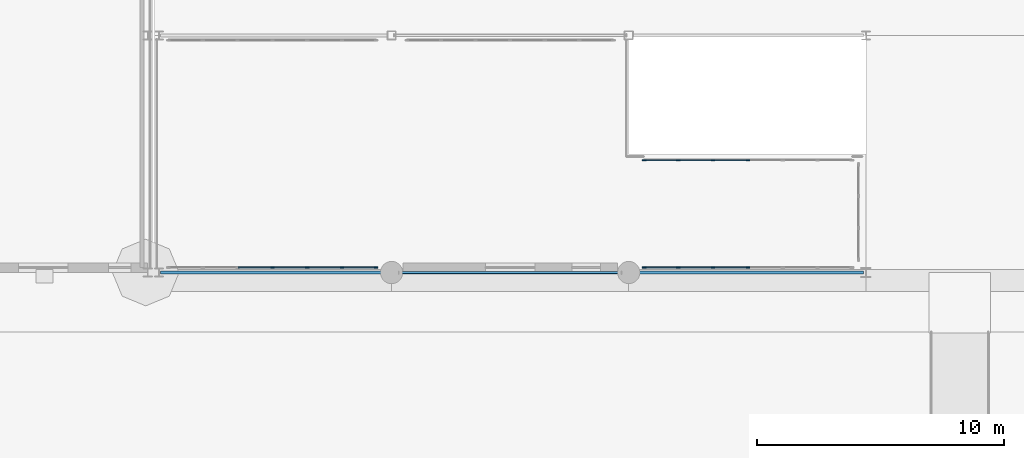
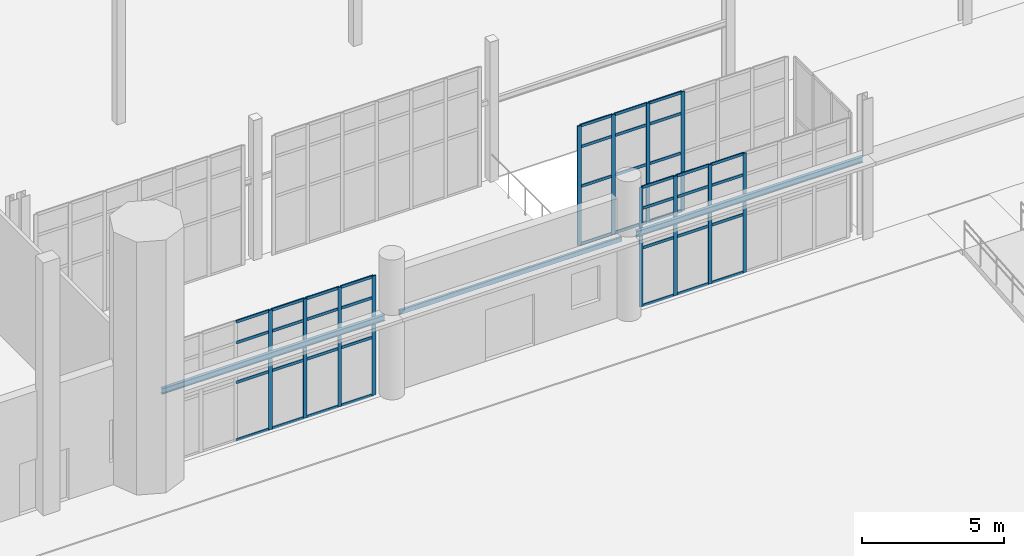
# One storey, part 26 of 139: 52 members, 3 beams, 3 elements without a shape of their own.
"""IFC4 building model written with IfcOpenShell, lengths in metres."""

from ifc_helpers import new_model, si_unit, direction, frame, origin, origin_2d, place, context, subcontext, project, spatial, rectangle, hollow_rectangle, i_section, extrude, material, layer, layer_set, material_profile, profile_set, type_object, element, aggregate, save


model = new_model("IFC4")

# Units and contexts
model_context = context("Model", 3, precision=1e-05, world=origin(), true_north=direction((0.0, 1.0)))
body_context = subcontext(model_context, "Body", "Model", "MODEL_VIEW")
ifc_project = project(units=[si_unit("LENGTHUNIT", "METRE"), si_unit("AREAUNIT", "SQUARE_METRE"), si_unit("VOLUMEUNIT", "CUBIC_METRE"), si_unit("PLANEANGLEUNIT", "RADIAN"), si_unit("MASSUNIT", "GRAM", prefix="KILO")], contexts=[model_context])

# Site, building, storey
site_placement = place(None, origin())
site = spatial("IfcSite", under=ifc_project, at=site_placement, CompositionType="ELEMENT")
building_placement = place(site_placement, origin())
building = spatial("IfcBuilding", under=site, at=building_placement, Name="Yeouljin Market Hall", CompositionType="ELEMENT")
storey_placement = place(building_placement, origin())
storey = spatial("IfcBuildingStorey", under=building, at=storey_placement, Name="L00", CompositionType="ELEMENT", Elevation=0.0)

# Curtain wall, members
ifc_material_1 = material(Name="Thermally Broken Aluminium", Category="aluminium")
ifc_layer = layer(ifc_material_1, 0.14990234375)
ifc_layer_set = layer_set([ifc_layer], Name="Thermally Broken Aluminium")
curtain_wall_type = type_object("IfcCurtainWallType", Name="CW_ColonnadeScreen_System", PredefinedType="USERDEFINED", material=ifc_layer_set)
curtain_wall_1_placement = place(storey_placement, origin())
curtain_wall_1 = element("IfcCurtainWall", 1, at=curtain_wall_1_placement, inside=storey, type_object=curtain_wall_type, Name="Curtain wall CW-V5S-L00-1", ObjectType="CURTAIN WALL", PredefinedType="USERDEFINED")
ifc_material_2 = material(Name="Thermally Broken Aluminium", Category="aluminium")
ifc_material_profile_1 = material_profile(ifc_material_2, rectangle(XDim=0.048095703125, YDim=0.14990234375, at=origin_2d()), Name="CW-MULL-48x150")
ifc_profile_set_1 = profile_set([ifc_material_profile_1], Name="Thermally Broken Aluminium")
member_type_1 = type_object("IfcMemberType", Name="CWMullion_48x150", PredefinedType="MULLION", material=ifc_profile_set_1)
member_1_placement = place(storey_placement, frame((44.3759765625, 0.199951171875, 0.0), z_axis=(0.0, 0.0, 1.0), x_axis=(0.0, -1.0, 0.0)))
member_1 = element("IfcMember", 2, at=member_1_placement, type_object=member_type_1, Name="CW-06 mullion 1", PredefinedType="MULLION", context=body_context, shape_type="SweptSolid", body=[
    extrude(rectangle(XDim=0.048095703125, YDim=0.14990234375, at=origin_2d()), origin(), (0.0, 0.0, 1.0), 5.1201171875),
])
member_2_placement = place(storey_placement, frame((42.99169921875, 0.199951171875, 0.0), z_axis=(0.0, 0.0, 1.0), x_axis=(0.0, -1.0, 0.0)))
member_2 = element("IfcMember", 3, at=member_2_placement, type_object=member_type_1, Name="CW-06 mullion 2", PredefinedType="MULLION", context=body_context, shape_type="SweptSolid", body=[
    extrude(rectangle(XDim=0.048095703125, YDim=0.14990234375, at=origin_2d()), origin(), (0.0, 0.0, 1.0), 5.1201171875),
])
member_3_placement = place(storey_placement, frame((41.583251953125, 0.199951171875, 0.0), z_axis=(0.0, 0.0, 1.0), x_axis=(0.0, -1.0, 0.0)))
member_3 = element("IfcMember", 4, at=member_3_placement, type_object=member_type_1, Name="CW-06 mullion 3", PredefinedType="MULLION", context=body_context, shape_type="SweptSolid", body=[
    extrude(rectangle(XDim=0.048095703125, YDim=0.14990234375, at=origin_2d()), origin(), (0.0, 0.0, 1.0), 5.1201171875),
])
member_4_placement = place(storey_placement, frame((40.175048828125, 0.199951171875, 0.0), z_axis=(0.0, 0.0, 1.0), x_axis=(0.0, -1.0, 0.0)))
member_4 = element("IfcMember", 5, at=member_4_placement, type_object=member_type_1, Name="CW-06 mullion 4", PredefinedType="MULLION", context=body_context, shape_type="SweptSolid", body=[
    extrude(rectangle(XDim=0.048095703125, YDim=0.14990234375, at=origin_2d()), origin(), (0.0, 0.0, 1.0), 5.1201171875),
])

curtain_wall_2_placement = place(storey_placement, origin())
curtain_wall_2 = element("IfcCurtainWall", 6, at=curtain_wall_2_placement, inside=storey, type_object=curtain_wall_type, Name="Curtain wall CW-V5S-L00-3", ObjectType="CURTAIN WALL", PredefinedType="USERDEFINED")
member_5_placement = place(storey_placement, frame((59.425048828125, 0.199951171875, 0.0), z_axis=(0.0, 0.0, 1.0), x_axis=(0.0, -1.0, 0.0)))
member_5 = element("IfcMember", 7, at=member_5_placement, type_object=member_type_1, Name="CW-06 mullion 4", PredefinedType="MULLION", context=body_context, shape_type="SweptSolid", body=[
    extrude(rectangle(XDim=0.048095703125, YDim=0.14990234375, at=origin_2d()), origin(), (0.0, 0.0, 1.0), 5.1201171875),
])
member_6_placement = place(storey_placement, frame((58.0166015625, 0.199951171875, 0.0), z_axis=(0.0, 0.0, 1.0), x_axis=(0.0, -1.0, 0.0)))
member_6 = element("IfcMember", 8, at=member_6_placement, type_object=member_type_1, Name="CW-06 mullion 5", PredefinedType="MULLION", context=body_context, shape_type="SweptSolid", body=[
    extrude(rectangle(XDim=0.048095703125, YDim=0.14990234375, at=origin_2d()), origin(), (0.0, 0.0, 1.0), 5.1201171875),
])
member_7_placement = place(storey_placement, frame((56.6083984375, 0.199951171875, 0.0), z_axis=(0.0, 0.0, 1.0), x_axis=(0.0, -1.0, 0.0)))
member_7 = element("IfcMember", 9, at=member_7_placement, type_object=member_type_1, Name="CW-06 mullion 6", PredefinedType="MULLION", context=body_context, shape_type="SweptSolid", body=[
    extrude(rectangle(XDim=0.048095703125, YDim=0.14990234375, at=origin_2d()), origin(), (0.0, 0.0, 1.0), 5.1201171875),
])
member_8_placement = place(storey_placement, frame((55.22412109375, 0.199951171875, 0.0), z_axis=(0.0, 0.0, 1.0), x_axis=(0.0, -1.0, 0.0)))
member_8 = element("IfcMember", 10, at=member_8_placement, type_object=member_type_1, Name="CW-06 mullion 7", PredefinedType="MULLION", context=body_context, shape_type="SweptSolid", body=[
    extrude(rectangle(XDim=0.048095703125, YDim=0.14990234375, at=origin_2d()), origin(), (0.0, 0.0, 1.0), 5.1201171875),
])

curtain_wall_3_placement = place(storey_placement, origin())
curtain_wall_3 = element("IfcCurtainWall", 11, at=curtain_wall_3_placement, inside=storey, type_object=curtain_wall_type, Name="Curtain wall CW-V5N-L00-3", ObjectType="CURTAIN WALL", PredefinedType="USERDEFINED")
member_9_placement = place(storey_placement, frame((55.22412109375, 4.550048828125, 0.0), z_axis=(0.0, 0.0, 1.0), x_axis=(0.0, 1.0, 0.0)))
member_9 = element("IfcMember", 12, at=member_9_placement, type_object=member_type_1, Name="CW-06 mullion 1", PredefinedType="MULLION", context=body_context, shape_type="SweptSolid", body=[
    extrude(rectangle(XDim=0.048095703125, YDim=0.14990234375, at=origin_2d()), origin(), (0.0, 0.0, 1.0), 5.1201171875),
])
member_10_placement = place(storey_placement, frame((56.6083984375, 4.550048828125, 0.0), z_axis=(0.0, 0.0, 1.0), x_axis=(0.0, 1.0, 0.0)))
member_10 = element("IfcMember", 13, at=member_10_placement, type_object=member_type_1, Name="CW-06 mullion 2", PredefinedType="MULLION", context=body_context, shape_type="SweptSolid", body=[
    extrude(rectangle(XDim=0.048095703125, YDim=0.14990234375, at=origin_2d()), origin(), (0.0, 0.0, 1.0), 5.1201171875),
])
member_11_placement = place(storey_placement, frame((58.0166015625, 4.550048828125, 0.0), z_axis=(0.0, 0.0, 1.0), x_axis=(0.0, 1.0, 0.0)))
member_11 = element("IfcMember", 14, at=member_11_placement, type_object=member_type_1, Name="CW-06 mullion 3", PredefinedType="MULLION", context=body_context, shape_type="SweptSolid", body=[
    extrude(rectangle(XDim=0.048095703125, YDim=0.14990234375, at=origin_2d()), origin(), (0.0, 0.0, 1.0), 5.1201171875),
])
member_12_placement = place(storey_placement, frame((59.425048828125, 4.550048828125, 0.0), z_axis=(0.0, 0.0, 1.0), x_axis=(0.0, 1.0, 0.0)))
member_12 = element("IfcMember", 15, at=member_12_placement, type_object=member_type_1, Name="CW-06 mullion 4", PredefinedType="MULLION", context=body_context, shape_type="SweptSolid", body=[
    extrude(rectangle(XDim=0.048095703125, YDim=0.14990234375, at=origin_2d()), origin(), (0.0, 0.0, 1.0), 5.1201171875),
])

# Member
ifc_material_3 = material(Name="Thermally Broken Aluminium", Category="aluminium")
ifc_material_profile_2 = material_profile(ifc_material_3, rectangle(XDim=0.048095703125, YDim=0.1201171875, at=origin_2d()), Name="CW-TRAN-48x120")
ifc_profile_set_2 = profile_set([ifc_material_profile_2], Name="Thermally Broken Aluminium")
member_type_2 = type_object("IfcMemberType", Name="CWTransom_48x120", PredefinedType="USERDEFINED", material=ifc_profile_set_2)
member_13_placement = place(storey_placement, frame((44.35205078125, 0.199951171875, 0.02392578125), z_axis=(-1.0, 0.0, 0.0), x_axis=(0.0, -1.0, 0.0)))
member_13 = element("IfcMember", 16, at=member_13_placement, type_object=member_type_2, Name="CW-06 transom 1.1", ObjectType="TRANSOM", PredefinedType="USERDEFINED", context=body_context, shape_type="SweptSolid", body=[
    extrude(rectangle(XDim=0.048095703125, YDim=0.1201171875, at=origin_2d()), origin(), (0.0, 0.0, 1.0), 1.33642578125),
])

member_14_placement = place(storey_placement, frame((44.35205078125, 0.199951171875, 2.5), z_axis=(-1.0, 0.0, 0.0), x_axis=(0.0, -1.0, 0.0)))
member_14 = element("IfcMember", 17, at=member_14_placement, type_object=member_type_2, Name="CW-06 transom 1.2", ObjectType="TRANSOM", PredefinedType="USERDEFINED", context=body_context, shape_type="SweptSolid", body=[
    extrude(rectangle(XDim=0.048095703125, YDim=0.1201171875, at=origin_2d()), origin(), (0.0, 0.0, 1.0), 1.33642578125),
])

member_15_placement = place(storey_placement, frame((44.35205078125, 0.199951171875, 4.199951171875), z_axis=(-1.0, 0.0, 0.0), x_axis=(0.0, -1.0, 0.0)))
member_15 = element("IfcMember", 18, at=member_15_placement, type_object=member_type_2, Name="CW-06 transom 1.3", ObjectType="TRANSOM", PredefinedType="USERDEFINED", context=body_context, shape_type="SweptSolid", body=[
    extrude(rectangle(XDim=0.048095703125, YDim=0.1201171875, at=origin_2d()), origin(), (0.0, 0.0, 1.0), 1.33642578125),
])

member_16_placement = place(storey_placement, frame((44.35205078125, 0.199951171875, 5.095947265625), z_axis=(-1.0, 0.0, 0.0), x_axis=(0.0, -1.0, 0.0)))
member_16 = element("IfcMember", 19, at=member_16_placement, type_object=member_type_2, Name="CW-06 transom 1.4", ObjectType="TRANSOM", PredefinedType="USERDEFINED", context=body_context, shape_type="SweptSolid", body=[
    extrude(rectangle(XDim=0.048095703125, YDim=0.1201171875, at=origin_2d()), origin(), (0.0, 0.0, 1.0), 1.33642578125),
])

member_17_placement = place(storey_placement, frame((42.9677734375, 0.199951171875, 0.02392578125), z_axis=(-1.0, 0.0, 0.0), x_axis=(0.0, -1.0, 0.0)))
member_17 = element("IfcMember", 20, at=member_17_placement, type_object=member_type_2, Name="CW-06 transom 2.1", ObjectType="TRANSOM", PredefinedType="USERDEFINED", context=body_context, shape_type="SweptSolid", body=[
    extrude(rectangle(XDim=0.048095703125, YDim=0.1201171875, at=origin_2d()), origin(), (0.0, 0.0, 1.0), 1.3603515625),
])

member_18_placement = place(storey_placement, frame((42.9677734375, 0.199951171875, 2.5), z_axis=(-1.0, 0.0, 0.0), x_axis=(0.0, -1.0, 0.0)))
member_18 = element("IfcMember", 21, at=member_18_placement, type_object=member_type_2, Name="CW-06 transom 2.2", ObjectType="TRANSOM", PredefinedType="USERDEFINED", context=body_context, shape_type="SweptSolid", body=[
    extrude(rectangle(XDim=0.048095703125, YDim=0.1201171875, at=origin_2d()), origin(), (0.0, 0.0, 1.0), 1.3603515625),
])

member_19_placement = place(storey_placement, frame((42.9677734375, 0.199951171875, 4.199951171875), z_axis=(-1.0, 0.0, 0.0), x_axis=(0.0, -1.0, 0.0)))
member_19 = element("IfcMember", 22, at=member_19_placement, type_object=member_type_2, Name="CW-06 transom 2.3", ObjectType="TRANSOM", PredefinedType="USERDEFINED", context=body_context, shape_type="SweptSolid", body=[
    extrude(rectangle(XDim=0.048095703125, YDim=0.1201171875, at=origin_2d()), origin(), (0.0, 0.0, 1.0), 1.3603515625),
])

member_20_placement = place(storey_placement, frame((42.9677734375, 0.199951171875, 5.095947265625), z_axis=(-1.0, 0.0, 0.0), x_axis=(0.0, -1.0, 0.0)))
member_20 = element("IfcMember", 23, at=member_20_placement, type_object=member_type_2, Name="CW-06 transom 2.4", ObjectType="TRANSOM", PredefinedType="USERDEFINED", context=body_context, shape_type="SweptSolid", body=[
    extrude(rectangle(XDim=0.048095703125, YDim=0.1201171875, at=origin_2d()), origin(), (0.0, 0.0, 1.0), 1.3603515625),
])

member_21_placement = place(storey_placement, frame((41.559326171875, 0.199951171875, 0.02392578125), z_axis=(-1.0, 0.0, 0.0), x_axis=(0.0, -1.0, 0.0)))
member_21 = element("IfcMember", 24, at=member_21_placement, type_object=member_type_2, Name="CW-06 transom 3.1", ObjectType="TRANSOM", PredefinedType="USERDEFINED", context=body_context, shape_type="SweptSolid", body=[
    extrude(rectangle(XDim=0.048095703125, YDim=0.1201171875, at=origin_2d()), origin(), (0.0, 0.0, 1.0), 1.3603515625),
])

member_22_placement = place(storey_placement, frame((41.559326171875, 0.199951171875, 2.5), z_axis=(-1.0, 0.0, 0.0), x_axis=(0.0, -1.0, 0.0)))
member_22 = element("IfcMember", 25, at=member_22_placement, type_object=member_type_2, Name="CW-06 transom 3.2", ObjectType="TRANSOM", PredefinedType="USERDEFINED", context=body_context, shape_type="SweptSolid", body=[
    extrude(rectangle(XDim=0.048095703125, YDim=0.1201171875, at=origin_2d()), origin(), (0.0, 0.0, 1.0), 1.3603515625),
])

member_23_placement = place(storey_placement, frame((41.559326171875, 0.199951171875, 4.199951171875), z_axis=(-1.0, 0.0, 0.0), x_axis=(0.0, -1.0, 0.0)))
member_23 = element("IfcMember", 26, at=member_23_placement, type_object=member_type_2, Name="CW-06 transom 3.3", ObjectType="TRANSOM", PredefinedType="USERDEFINED", context=body_context, shape_type="SweptSolid", body=[
    extrude(rectangle(XDim=0.048095703125, YDim=0.1201171875, at=origin_2d()), origin(), (0.0, 0.0, 1.0), 1.3603515625),
])

member_24_placement = place(storey_placement, frame((41.559326171875, 0.199951171875, 5.095947265625), z_axis=(-1.0, 0.0, 0.0), x_axis=(0.0, -1.0, 0.0)))
member_24 = element("IfcMember", 27, at=member_24_placement, type_object=member_type_2, Name="CW-06 transom 3.4", ObjectType="TRANSOM", PredefinedType="USERDEFINED", context=body_context, shape_type="SweptSolid", body=[
    extrude(rectangle(XDim=0.048095703125, YDim=0.1201171875, at=origin_2d()), origin(), (0.0, 0.0, 1.0), 1.3603515625),
])

member_25_placement = place(storey_placement, frame((40.15087890625, 0.199951171875, 0.02392578125), z_axis=(-1.0, 0.0, 0.0), x_axis=(0.0, -1.0, 0.0)))
member_25 = element("IfcMember", 28, at=member_25_placement, type_object=member_type_2, Name="CW-06 transom 4.1", ObjectType="TRANSOM", PredefinedType="USERDEFINED", context=body_context, shape_type="SweptSolid", body=[
    extrude(rectangle(XDim=0.048095703125, YDim=0.1201171875, at=origin_2d()), origin(), (0.0, 0.0, 1.0), 1.360107421875),
])

member_26_placement = place(storey_placement, frame((40.15087890625, 0.199951171875, 2.5), z_axis=(-1.0, 0.0, 0.0), x_axis=(0.0, -1.0, 0.0)))
member_26 = element("IfcMember", 29, at=member_26_placement, type_object=member_type_2, Name="CW-06 transom 4.2", ObjectType="TRANSOM", PredefinedType="USERDEFINED", context=body_context, shape_type="SweptSolid", body=[
    extrude(rectangle(XDim=0.048095703125, YDim=0.1201171875, at=origin_2d()), origin(), (0.0, 0.0, 1.0), 1.360107421875),
])

member_27_placement = place(storey_placement, frame((40.15087890625, 0.199951171875, 4.199951171875), z_axis=(-1.0, 0.0, 0.0), x_axis=(0.0, -1.0, 0.0)))
member_27 = element("IfcMember", 30, at=member_27_placement, type_object=member_type_2, Name="CW-06 transom 4.3", ObjectType="TRANSOM", PredefinedType="USERDEFINED", context=body_context, shape_type="SweptSolid", body=[
    extrude(rectangle(XDim=0.048095703125, YDim=0.1201171875, at=origin_2d()), origin(), (0.0, 0.0, 1.0), 1.360107421875),
])

member_28_placement = place(storey_placement, frame((40.15087890625, 0.199951171875, 5.095947265625), z_axis=(-1.0, 0.0, 0.0), x_axis=(0.0, -1.0, 0.0)))
member_28 = element("IfcMember", 31, at=member_28_placement, type_object=member_type_2, Name="CW-06 transom 4.4", ObjectType="TRANSOM", PredefinedType="USERDEFINED", context=body_context, shape_type="SweptSolid", body=[
    extrude(rectangle(XDim=0.048095703125, YDim=0.1201171875, at=origin_2d()), origin(), (0.0, 0.0, 1.0), 1.360107421875),
])

aggregate(curtain_wall_1, [member_1, member_2, member_3, member_4, member_13, member_14, member_15, member_16, member_17, member_18, member_19, member_20, member_21, member_22, member_23, member_24, member_25, member_26, member_27, member_28])

member_29_placement = place(storey_placement, frame((59.40087890625, 0.199951171875, 0.02392578125), z_axis=(-1.0, 0.0, 0.0), x_axis=(0.0, -1.0, 0.0)))
member_29 = element("IfcMember", 32, at=member_29_placement, type_object=member_type_2, Name="CW-06 transom 4.1", ObjectType="TRANSOM", PredefinedType="USERDEFINED", context=body_context, shape_type="SweptSolid", body=[
    extrude(rectangle(XDim=0.048095703125, YDim=0.1201171875, at=origin_2d()), origin(), (0.0, 0.0, 1.0), 1.360107421875),
])

member_30_placement = place(storey_placement, frame((59.40087890625, 0.199951171875, 2.5), z_axis=(-1.0, 0.0, 0.0), x_axis=(0.0, -1.0, 0.0)))
member_30 = element("IfcMember", 33, at=member_30_placement, type_object=member_type_2, Name="CW-06 transom 4.2", ObjectType="TRANSOM", PredefinedType="USERDEFINED", context=body_context, shape_type="SweptSolid", body=[
    extrude(rectangle(XDim=0.048095703125, YDim=0.1201171875, at=origin_2d()), origin(), (0.0, 0.0, 1.0), 1.360107421875),
])

member_31_placement = place(storey_placement, frame((59.40087890625, 0.199951171875, 4.199951171875), z_axis=(-1.0, 0.0, 0.0), x_axis=(0.0, -1.0, 0.0)))
member_31 = element("IfcMember", 34, at=member_31_placement, type_object=member_type_2, Name="CW-06 transom 4.3", ObjectType="TRANSOM", PredefinedType="USERDEFINED", context=body_context, shape_type="SweptSolid", body=[
    extrude(rectangle(XDim=0.048095703125, YDim=0.1201171875, at=origin_2d()), origin(), (0.0, 0.0, 1.0), 1.360107421875),
])

member_32_placement = place(storey_placement, frame((59.40087890625, 0.199951171875, 5.095947265625), z_axis=(-1.0, 0.0, 0.0), x_axis=(0.0, -1.0, 0.0)))
member_32 = element("IfcMember", 35, at=member_32_placement, type_object=member_type_2, Name="CW-06 transom 4.4", ObjectType="TRANSOM", PredefinedType="USERDEFINED", context=body_context, shape_type="SweptSolid", body=[
    extrude(rectangle(XDim=0.048095703125, YDim=0.1201171875, at=origin_2d()), origin(), (0.0, 0.0, 1.0), 1.360107421875),
])

member_33_placement = place(storey_placement, frame((57.99267578125, 0.199951171875, 0.02392578125), z_axis=(-1.0, 0.0, 0.0), x_axis=(0.0, -1.0, 0.0)))
member_33 = element("IfcMember", 36, at=member_33_placement, type_object=member_type_2, Name="CW-06 transom 5.1", ObjectType="TRANSOM", PredefinedType="USERDEFINED", context=body_context, shape_type="SweptSolid", body=[
    extrude(rectangle(XDim=0.048095703125, YDim=0.1201171875, at=origin_2d()), origin(), (0.0, 0.0, 1.0), 1.3603515625),
])

member_34_placement = place(storey_placement, frame((57.99267578125, 0.199951171875, 2.5), z_axis=(-1.0, 0.0, 0.0), x_axis=(0.0, -1.0, 0.0)))
member_34 = element("IfcMember", 37, at=member_34_placement, type_object=member_type_2, Name="CW-06 transom 5.2", ObjectType="TRANSOM", PredefinedType="USERDEFINED", context=body_context, shape_type="SweptSolid", body=[
    extrude(rectangle(XDim=0.048095703125, YDim=0.1201171875, at=origin_2d()), origin(), (0.0, 0.0, 1.0), 1.3603515625),
])

member_35_placement = place(storey_placement, frame((57.99267578125, 0.199951171875, 4.199951171875), z_axis=(-1.0, 0.0, 0.0), x_axis=(0.0, -1.0, 0.0)))
member_35 = element("IfcMember", 38, at=member_35_placement, type_object=member_type_2, Name="CW-06 transom 5.3", ObjectType="TRANSOM", PredefinedType="USERDEFINED", context=body_context, shape_type="SweptSolid", body=[
    extrude(rectangle(XDim=0.048095703125, YDim=0.1201171875, at=origin_2d()), origin(), (0.0, 0.0, 1.0), 1.3603515625),
])

member_36_placement = place(storey_placement, frame((57.99267578125, 0.199951171875, 5.095947265625), z_axis=(-1.0, 0.0, 0.0), x_axis=(0.0, -1.0, 0.0)))
member_36 = element("IfcMember", 39, at=member_36_placement, type_object=member_type_2, Name="CW-06 transom 5.4", ObjectType="TRANSOM", PredefinedType="USERDEFINED", context=body_context, shape_type="SweptSolid", body=[
    extrude(rectangle(XDim=0.048095703125, YDim=0.1201171875, at=origin_2d()), origin(), (0.0, 0.0, 1.0), 1.3603515625),
])

member_37_placement = place(storey_placement, frame((56.584228515625, 0.199951171875, 0.02392578125), z_axis=(-1.0, 0.0, 0.0), x_axis=(0.0, -1.0, 0.0)))
member_37 = element("IfcMember", 40, at=member_37_placement, type_object=member_type_2, Name="CW-06 transom 6.1", ObjectType="TRANSOM", PredefinedType="USERDEFINED", context=body_context, shape_type="SweptSolid", body=[
    extrude(rectangle(XDim=0.048095703125, YDim=0.1201171875, at=origin_2d()), origin(), (0.0, 0.0, 1.0), 1.336181640625),
])

member_38_placement = place(storey_placement, frame((56.584228515625, 0.199951171875, 2.5), z_axis=(-1.0, 0.0, 0.0), x_axis=(0.0, -1.0, 0.0)))
member_38 = element("IfcMember", 41, at=member_38_placement, type_object=member_type_2, Name="CW-06 transom 6.2", ObjectType="TRANSOM", PredefinedType="USERDEFINED", context=body_context, shape_type="SweptSolid", body=[
    extrude(rectangle(XDim=0.048095703125, YDim=0.1201171875, at=origin_2d()), origin(), (0.0, 0.0, 1.0), 1.336181640625),
])

member_39_placement = place(storey_placement, frame((56.584228515625, 0.199951171875, 4.199951171875), z_axis=(-1.0, 0.0, 0.0), x_axis=(0.0, -1.0, 0.0)))
member_39 = element("IfcMember", 42, at=member_39_placement, type_object=member_type_2, Name="CW-06 transom 6.3", ObjectType="TRANSOM", PredefinedType="USERDEFINED", context=body_context, shape_type="SweptSolid", body=[
    extrude(rectangle(XDim=0.048095703125, YDim=0.1201171875, at=origin_2d()), origin(), (0.0, 0.0, 1.0), 1.336181640625),
])

member_40_placement = place(storey_placement, frame((56.584228515625, 0.199951171875, 5.095947265625), z_axis=(-1.0, 0.0, 0.0), x_axis=(0.0, -1.0, 0.0)))
member_40 = element("IfcMember", 43, at=member_40_placement, type_object=member_type_2, Name="CW-06 transom 6.4", ObjectType="TRANSOM", PredefinedType="USERDEFINED", context=body_context, shape_type="SweptSolid", body=[
    extrude(rectangle(XDim=0.048095703125, YDim=0.1201171875, at=origin_2d()), origin(), (0.0, 0.0, 1.0), 1.336181640625),
])

aggregate(curtain_wall_2, [member_5, member_6, member_7, member_8, member_29, member_30, member_31, member_32, member_33, member_34, member_35, member_36, member_37, member_38, member_39, member_40])

member_41_placement = place(storey_placement, frame((55.248046875, 4.550048828125, 0.02392578125), z_axis=(1.0, 0.0, 0.0), x_axis=(0.0, 1.0, 0.0)))
member_41 = element("IfcMember", 44, at=member_41_placement, type_object=member_type_2, Name="CW-06 transom 1.1", ObjectType="TRANSOM", PredefinedType="USERDEFINED", context=body_context, shape_type="SweptSolid", body=[
    extrude(rectangle(XDim=0.048095703125, YDim=0.1201171875, at=origin_2d()), origin(), (0.0, 0.0, 1.0), 1.336181640625),
])

member_42_placement = place(storey_placement, frame((55.248046875, 4.550048828125, 2.5), z_axis=(1.0, 0.0, 0.0), x_axis=(0.0, 1.0, 0.0)))
member_42 = element("IfcMember", 45, at=member_42_placement, type_object=member_type_2, Name="CW-06 transom 1.2", ObjectType="TRANSOM", PredefinedType="USERDEFINED", context=body_context, shape_type="SweptSolid", body=[
    extrude(rectangle(XDim=0.048095703125, YDim=0.1201171875, at=origin_2d()), origin(), (0.0, 0.0, 1.0), 1.336181640625),
])

member_43_placement = place(storey_placement, frame((55.248046875, 4.550048828125, 4.199951171875), z_axis=(1.0, 0.0, 0.0), x_axis=(0.0, 1.0, 0.0)))
member_43 = element("IfcMember", 46, at=member_43_placement, type_object=member_type_2, Name="CW-06 transom 1.3", ObjectType="TRANSOM", PredefinedType="USERDEFINED", context=body_context, shape_type="SweptSolid", body=[
    extrude(rectangle(XDim=0.048095703125, YDim=0.1201171875, at=origin_2d()), origin(), (0.0, 0.0, 1.0), 1.336181640625),
])

member_44_placement = place(storey_placement, frame((55.248046875, 4.550048828125, 5.095947265625), z_axis=(1.0, 0.0, 0.0), x_axis=(0.0, 1.0, 0.0)))
member_44 = element("IfcMember", 47, at=member_44_placement, type_object=member_type_2, Name="CW-06 transom 1.4", ObjectType="TRANSOM", PredefinedType="USERDEFINED", context=body_context, shape_type="SweptSolid", body=[
    extrude(rectangle(XDim=0.048095703125, YDim=0.1201171875, at=origin_2d()), origin(), (0.0, 0.0, 1.0), 1.336181640625),
])

member_45_placement = place(storey_placement, frame((56.63232421875, 4.550048828125, 0.02392578125), z_axis=(1.0, 0.0, 0.0), x_axis=(0.0, 1.0, 0.0)))
member_45 = element("IfcMember", 48, at=member_45_placement, type_object=member_type_2, Name="CW-06 transom 2.1", ObjectType="TRANSOM", PredefinedType="USERDEFINED", context=body_context, shape_type="SweptSolid", body=[
    extrude(rectangle(XDim=0.048095703125, YDim=0.1201171875, at=origin_2d()), origin(), (0.0, 0.0, 1.0), 1.3603515625),
])

member_46_placement = place(storey_placement, frame((56.63232421875, 4.550048828125, 2.5), z_axis=(1.0, 0.0, 0.0), x_axis=(0.0, 1.0, 0.0)))
member_46 = element("IfcMember", 49, at=member_46_placement, type_object=member_type_2, Name="CW-06 transom 2.2", ObjectType="TRANSOM", PredefinedType="USERDEFINED", context=body_context, shape_type="SweptSolid", body=[
    extrude(rectangle(XDim=0.048095703125, YDim=0.1201171875, at=origin_2d()), origin(), (0.0, 0.0, 1.0), 1.3603515625),
])

member_47_placement = place(storey_placement, frame((56.63232421875, 4.550048828125, 4.199951171875), z_axis=(1.0, 0.0, 0.0), x_axis=(0.0, 1.0, 0.0)))
member_47 = element("IfcMember", 50, at=member_47_placement, type_object=member_type_2, Name="CW-06 transom 2.3", ObjectType="TRANSOM", PredefinedType="USERDEFINED", context=body_context, shape_type="SweptSolid", body=[
    extrude(rectangle(XDim=0.048095703125, YDim=0.1201171875, at=origin_2d()), origin(), (0.0, 0.0, 1.0), 1.3603515625),
])

member_48_placement = place(storey_placement, frame((56.63232421875, 4.550048828125, 5.095947265625), z_axis=(1.0, 0.0, 0.0), x_axis=(0.0, 1.0, 0.0)))
member_48 = element("IfcMember", 51, at=member_48_placement, type_object=member_type_2, Name="CW-06 transom 2.4", ObjectType="TRANSOM", PredefinedType="USERDEFINED", context=body_context, shape_type="SweptSolid", body=[
    extrude(rectangle(XDim=0.048095703125, YDim=0.1201171875, at=origin_2d()), origin(), (0.0, 0.0, 1.0), 1.3603515625),
])

member_49_placement = place(storey_placement, frame((58.040771484375, 4.550048828125, 0.02392578125), z_axis=(1.0, 0.0, 0.0), x_axis=(0.0, 1.0, 0.0)))
member_49 = element("IfcMember", 52, at=member_49_placement, type_object=member_type_2, Name="CW-06 transom 3.1", ObjectType="TRANSOM", PredefinedType="USERDEFINED", context=body_context, shape_type="SweptSolid", body=[
    extrude(rectangle(XDim=0.048095703125, YDim=0.1201171875, at=origin_2d()), origin(), (0.0, 0.0, 1.0), 1.360107421875),
])

member_50_placement = place(storey_placement, frame((58.040771484375, 4.550048828125, 2.5), z_axis=(1.0, 0.0, 0.0), x_axis=(0.0, 1.0, 0.0)))
member_50 = element("IfcMember", 53, at=member_50_placement, type_object=member_type_2, Name="CW-06 transom 3.2", ObjectType="TRANSOM", PredefinedType="USERDEFINED", context=body_context, shape_type="SweptSolid", body=[
    extrude(rectangle(XDim=0.048095703125, YDim=0.1201171875, at=origin_2d()), origin(), (0.0, 0.0, 1.0), 1.360107421875),
])

member_51_placement = place(storey_placement, frame((58.040771484375, 4.550048828125, 4.199951171875), z_axis=(1.0, 0.0, 0.0), x_axis=(0.0, 1.0, 0.0)))
member_51 = element("IfcMember", 54, at=member_51_placement, type_object=member_type_2, Name="CW-06 transom 3.3", ObjectType="TRANSOM", PredefinedType="USERDEFINED", context=body_context, shape_type="SweptSolid", body=[
    extrude(rectangle(XDim=0.048095703125, YDim=0.1201171875, at=origin_2d()), origin(), (0.0, 0.0, 1.0), 1.360107421875),
])

member_52_placement = place(storey_placement, frame((58.040771484375, 4.550048828125, 5.095947265625), z_axis=(1.0, 0.0, 0.0), x_axis=(0.0, 1.0, 0.0)))
member_52 = element("IfcMember", 55, at=member_52_placement, type_object=member_type_2, Name="CW-06 transom 3.4", ObjectType="TRANSOM", PredefinedType="USERDEFINED", context=body_context, shape_type="SweptSolid", body=[
    extrude(rectangle(XDim=0.048095703125, YDim=0.1201171875, at=origin_2d()), origin(), (0.0, 0.0, 1.0), 1.360107421875),
])

aggregate(curtain_wall_3, [member_9, member_10, member_11, member_12, member_41, member_42, member_43, member_44, member_45, member_46, member_47, member_48, member_49, member_50, member_51, member_52])

# Beams
ifc_material_4 = material(Name="Steel SM355", Category="steel")
ifc_material_profile_3 = material_profile(ifc_material_4, i_section(OverallWidth=0.125, OverallDepth=0.25, WebThickness=0.006103515625, FlangeThickness=0.009033203125, FilletRadius=0.011962890625, at=origin_2d()), Name="H-250x125x6x9")
ifc_profile_set_3 = profile_set([ifc_material_profile_3], Name="Steel SM355")
beam_type_1 = type_object("IfcBeamType", Name="Lintel_H250x125", PredefinedType="LINTEL", material=ifc_profile_set_3)
beam_1_placement = place(storey_placement, frame((35.64990234375, 0.0, 3.35009765625), z_axis=(1.0, 0.0, 0.0), x_axis=(0.0, 1.0, 0.0)))
element("IfcBeam", 56, at=beam_1_placement, inside=storey, type_object=beam_type_1, Name="Colonnade portal lintel L00-07", PredefinedType="LINTEL", context=body_context, shape_type="SweptSolid", body=[
    extrude(i_section(OverallWidth=0.125, OverallDepth=0.25, WebThickness=0.006103515625, FlangeThickness=0.009033203125, FilletRadius=0.011962890625, at=origin_2d()), origin(), (0.0, 0.0, 1.0), 9.050048828125),
])
beam_2_placement = place(storey_placement, frame((54.89990234375, 0.0, 3.35009765625), z_axis=(1.0, 0.0, 0.0), x_axis=(0.0, 1.0, 0.0)))
element("IfcBeam", 57, at=beam_2_placement, inside=storey, type_object=beam_type_1, Name="Colonnade portal lintel L00-09", PredefinedType="LINTEL", context=body_context, shape_type="SweptSolid", body=[
    extrude(i_section(OverallWidth=0.125, OverallDepth=0.25, WebThickness=0.006103515625, FlangeThickness=0.009033203125, FilletRadius=0.011962890625, at=origin_2d()), origin(), (0.0, 0.0, 1.0), 9.2001953125),
])
ifc_material_5 = material(Name="Steel SS275", Category="steel")
ifc_material_profile_4 = material_profile(ifc_material_5, hollow_rectangle(XDim=0.10009765625, YDim=0.199951171875, WallThickness=0.006103515625, InnerFilletRadius=0.006103515625, OuterFilletRadius=0.011962890625, at=origin_2d()), Name="RHS-200x100x6")
ifc_profile_set_4 = profile_set([ifc_material_profile_4], Name="Steel SS275")
beam_type_2 = type_object("IfcBeamType", Name="Lintel_RHS200x100", PredefinedType="LINTEL", material=ifc_profile_set_4)
beam_3_placement = place(storey_placement, frame((45.300048828125, 0.0, 3.35009765625), z_axis=(1.0, 0.0, 0.0), x_axis=(0.0, 1.0, 0.0)))
element("IfcBeam", 58, at=beam_3_placement, inside=storey, type_object=beam_type_2, Name="Colonnade portal lintel L00-08", PredefinedType="LINTEL", context=body_context, shape_type="SweptSolid", body=[
    extrude(hollow_rectangle(XDim=0.10009765625, YDim=0.199951171875, WallThickness=0.006103515625, InnerFilletRadius=0.006103515625, OuterFilletRadius=0.011962890625, at=origin_2d()), origin(), (0.0, 0.0, 1.0), 9.0),
])

save(model, "model.ifc")
